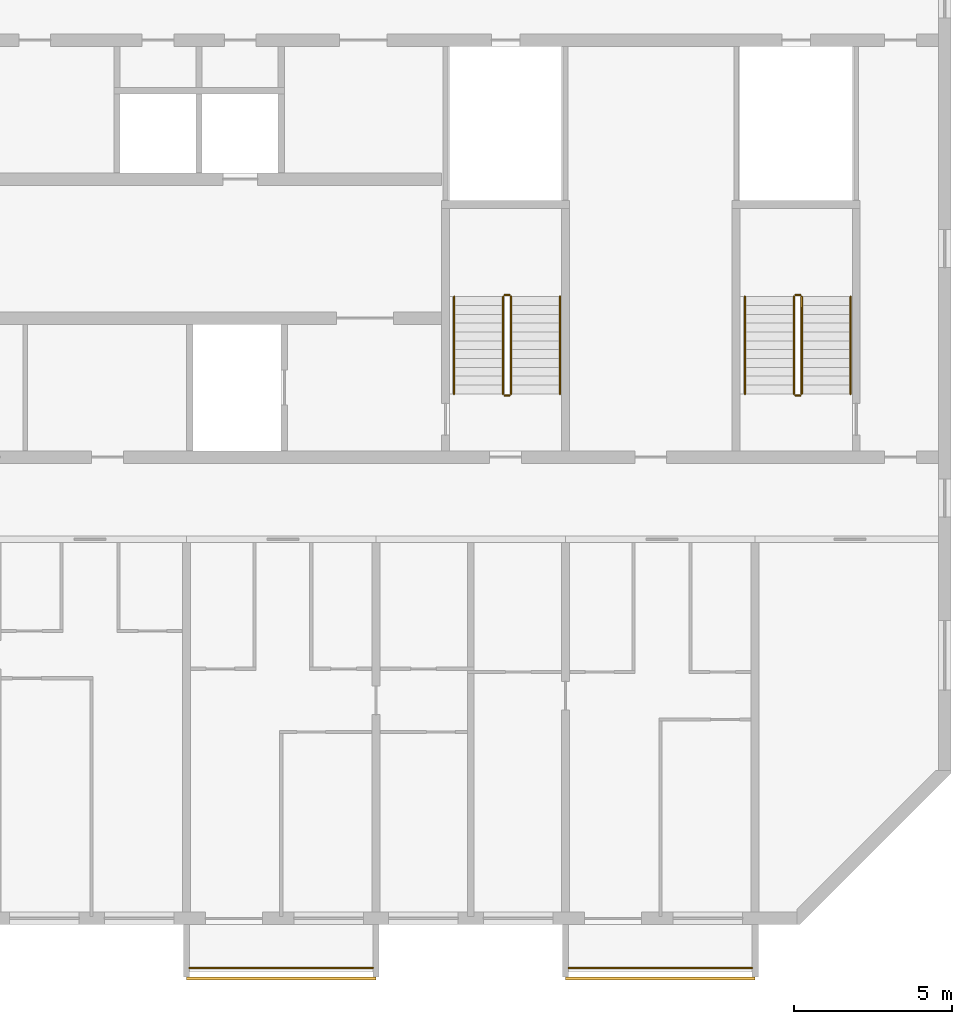
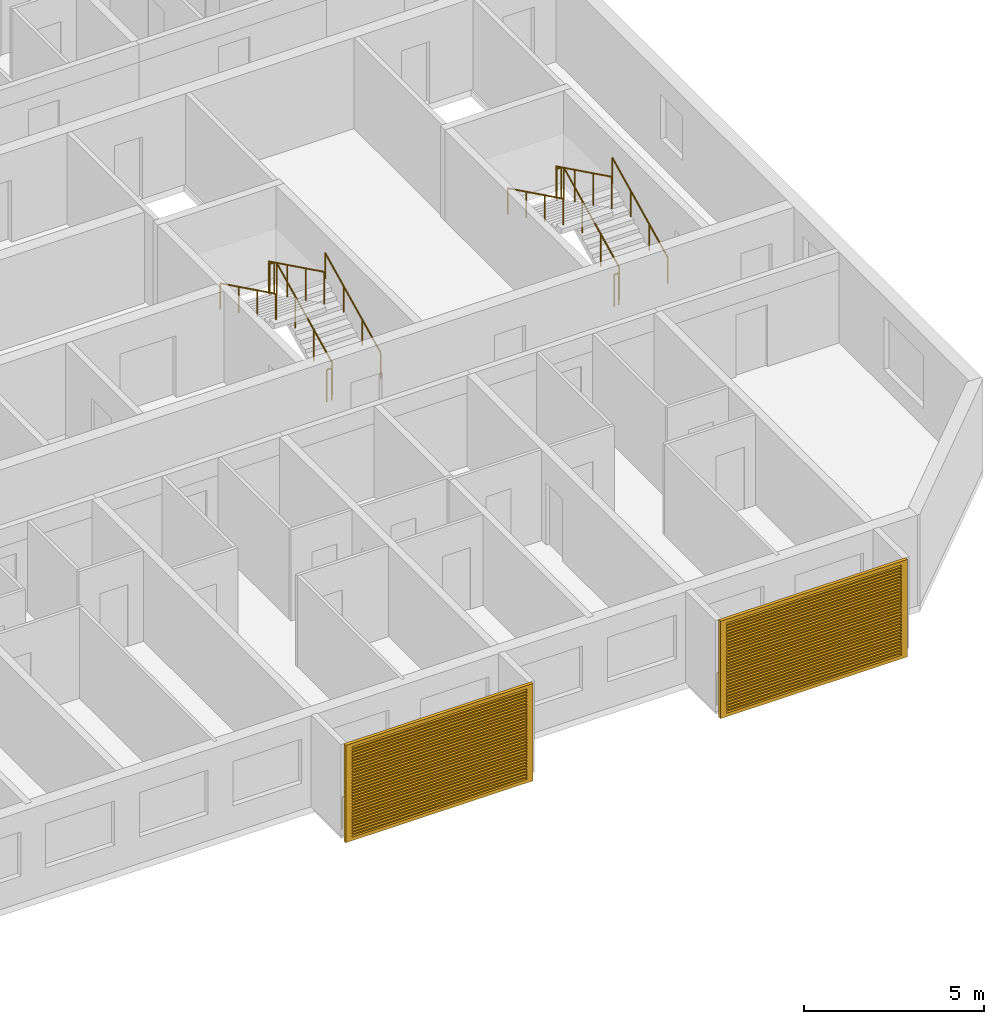
# One storey, part 14 of 28: 14 railings, 2 shading devices.
"""IFC4 building model written with IfcOpenShell, lengths in metres."""

from ifc_helpers import new_model, si_unit, direction, frame, origin, origin_2d, place, context, subcontext, project, spatial, polyline, circle, outline, extrude, source, transform, mapped, material, material_profile, profile_set, type_object, element, save


model = new_model("IFC4")

# Units and contexts
model_context = context("Model", 3, precision=1e-05, world=origin(), true_north=direction((0.0, 1.0)))
body_context = subcontext(model_context, "Body", "Model", "MODEL_VIEW")
ifc_project = project(units=[si_unit("LENGTHUNIT", "METRE"), si_unit("AREAUNIT", "SQUARE_METRE"), si_unit("VOLUMEUNIT", "CUBIC_METRE"), si_unit("PLANEANGLEUNIT", "RADIAN"), si_unit("MASSUNIT", "GRAM", prefix="KILO")], contexts=[model_context])

# Site, building, storey
site_placement = place(None, origin())
site = spatial("IfcSite", under=ifc_project, at=site_placement, CompositionType="ELEMENT")
building_placement = place(site_placement, origin())
building = spatial("IfcBuilding", under=site, at=building_placement, Name="Poui Terraces", CompositionType="ELEMENT")
storey_placement = place(building_placement, frame((0.0, 0.0, 181.800048828125)))
storey = spatial("IfcBuildingStorey", under=building, at=storey_placement, Name="L50", CompositionType="ELEMENT", Elevation=181.800048828125)

# Railings
ifc_material_1 = material(Name="Painted steel fretwork", Category="steel")
railing_type_1 = type_object("IfcRailingType", Name="BALCONY GUARD 1100", PredefinedType="GUARDRAIL", material=ifc_material_1)
for number, where, name in (
    (1, (60.10009765625, -1.570068359375, 0.0), "BALCONY GUARD"),
    (2, (72.10009765625, -1.570068359375, 0.0), "BALCONY GUARD"),
):
    element("IfcRailing", number, at=place(storey_placement, frame(where)), inside=storey, type_object=railing_type_1, Name=name, PredefinedType="GUARDRAIL", context=body_context, shape_type="SweptSolid", body=[
        extrude(circle(Radius=0.02392578125, at=origin_2d()), frame((0.0, 0.0, 1.076171875), z_axis=(1.0, 0.0, 0.0), x_axis=(0.0, 1.0, 0.0)), (0.0, 0.0, 1.0), 5.7998046875),
        extrude(circle(Radius=0.02099609375, at=origin_2d()), origin(), (0.0, 0.0, 1.0), 1.052001953125),
        extrude(circle(Radius=0.02099609375, at=origin_2d()), frame((0.966552734375, 0.0, 0.0)), (0.0, 0.0, 1.0), 1.052001953125),
        extrude(circle(Radius=0.02099609375, at=origin_2d()), frame((1.933349609375, 0.0, 0.0)), (0.0, 0.0, 1.0), 1.052001953125),
        extrude(circle(Radius=0.02099609375, at=origin_2d()), frame((2.89990234375, 0.0, 0.0)), (0.0, 0.0, 1.0), 1.052001953125),
        extrude(circle(Radius=0.02099609375, at=origin_2d()), frame((3.866455078125, 0.0, 0.0)), (0.0, 0.0, 1.0), 1.052001953125),
        extrude(circle(Radius=0.02099609375, at=origin_2d()), frame((4.833251953125, 0.0, 0.0)), (0.0, 0.0, 1.0), 1.052001953125),
        extrude(circle(Radius=0.02099609375, at=origin_2d()), frame((5.7998046875, 0.0, 0.0)), (0.0, 0.0, 1.0), 1.052001953125),
    ])
ifc_material_2 = material(Name="Galvanised steel balustrade", Category="steel")
railing_type_2 = type_object("IfcRailingType", Name="STAIR GUARD 1100", PredefinedType="GUARDRAIL", material=ifc_material_2)
railing_1_placement = place(storey_placement, frame((70.27490234375, 16.60009765625, 0.137451171875)))
element("IfcRailing", 3, at=railing_1_placement, inside=storey, type_object=railing_type_2, Name="L50 ST-CE stair guard 1", PredefinedType="GUARDRAIL", context=body_context, shape_type="SweptSolid", body=[
    extrude(circle(Radius=0.02392578125, at=origin_2d()), frame((0.0, 0.0, 1.076171875), z_axis=(0.0, 0.897606190399, 0.440798283751), x_axis=(-1.0, 0.0, 0.0)), (0.0, 0.0, 1.0), 3.43115234375),
    extrude(circle(Radius=0.02099609375, at=origin_2d()), origin(), (0.0, 0.0, 1.0), 1.052001953125),
    extrude(circle(Radius=0.02099609375, at=origin_2d()), frame((0.0, 1.026611328125, 0.504150390625)), (0.0, 0.0, 1.0), 1.052001953125),
    extrude(circle(Radius=0.02099609375, at=origin_2d()), frame((0.0, 2.05322265625, 1.00830078125)), (0.0, 0.0, 1.0), 1.052001953125),
    extrude(circle(Radius=0.02099609375, at=origin_2d()), frame((0.0, 3.079833984375, 1.512451171875)), (0.0, 0.0, 1.0), 1.052001953125),
])
railing_2_placement = place(storey_placement, frame((70.22509765625, 19.72998046875, 1.64990234375)))
element("IfcRailing", 4, at=railing_2_placement, inside=storey, type_object=railing_type_2, Name="L50 ST-CE stair guard 2", PredefinedType="GUARDRAIL", context=body_context, shape_type="SweptSolid", body=[
    extrude(circle(Radius=0.02392578125, at=origin_2d()), frame((0.0, 0.0, 1.076171875), z_axis=(-1.0, 0.0, 0.0), x_axis=(0.0, -1.0, 0.0)), (0.0, 0.0, 1.0), 0.150146484375),
    extrude(circle(Radius=0.02099609375, at=origin_2d()), origin(), (0.0, 0.0, 1.0), 1.052001953125),
    extrude(circle(Radius=0.02099609375, at=origin_2d()), frame((-0.150146484375, 0.0, 0.0)), (0.0, 0.0, 1.0), 1.052001953125),
])
railing_3_placement = place(storey_placement, frame((70.02490234375, 19.679931640625, 1.787353515625)))
element("IfcRailing", 5, at=railing_3_placement, inside=storey, type_object=railing_type_2, Name="L50 ST-CE stair guard 3", PredefinedType="GUARDRAIL", context=body_context, shape_type="SweptSolid", body=[
    extrude(circle(Radius=0.02392578125, at=origin_2d()), frame((0.0, 0.0, 1.076171875), z_axis=(0.0, -0.897578036475, 0.440855609512), x_axis=(1.0, 0.0, 0.0)), (0.0, 0.0, 1.0), 3.43115234375),
    extrude(circle(Radius=0.02099609375, at=origin_2d()), origin(), (0.0, 0.0, 1.0), 1.052001953125),
    extrude(circle(Radius=0.02099609375, at=origin_2d()), frame((0.0, -1.026611328125, 0.504150390625)), (0.0, 0.0, 1.0), 1.052001953125),
    extrude(circle(Radius=0.02099609375, at=origin_2d()), frame((0.0, -2.05322265625, 1.008544921875)), (0.0, 0.0, 1.0), 1.052001953125),
    extrude(circle(Radius=0.02099609375, at=origin_2d()), frame((0.0, -3.079833984375, 1.5126953125)), (0.0, 0.0, 1.0), 1.052001953125),
])
railing_4_placement = place(storey_placement, frame((70.22509765625, 16.550048828125, 0.0)))
element("IfcRailing", 6, at=railing_4_placement, inside=storey, type_object=railing_type_2, Name="L50 ST-CE stair guard 4", PredefinedType="GUARDRAIL", context=body_context, shape_type="SweptSolid", body=[
    extrude(circle(Radius=0.02392578125, at=origin_2d()), frame((0.0, 0.0, 1.076171875), z_axis=(-1.0, 0.0, 0.0), x_axis=(0.0, -1.0, 0.0)), (0.0, 0.0, 1.0), 0.150146484375),
    extrude(circle(Radius=0.02099609375, at=origin_2d()), origin(), (0.0, 0.0, 1.0), 1.052001953125),
    extrude(circle(Radius=0.02099609375, at=origin_2d()), frame((-0.150146484375, 0.0, 0.0)), (0.0, 0.0, 1.0), 1.052001953125),
])
railing_5_placement = place(storey_placement, frame((79.47509765625, 16.60009765625, 0.137451171875)))
element("IfcRailing", 7, at=railing_5_placement, inside=storey, type_object=railing_type_2, Name="L50 ST-E stair guard 1", PredefinedType="GUARDRAIL", context=body_context, shape_type="SweptSolid", body=[
    extrude(circle(Radius=0.02392578125, at=origin_2d()), frame((0.0, 0.0, 1.076171875), z_axis=(0.0, 0.897606190399, 0.440798283751), x_axis=(-1.0, 0.0, 0.0)), (0.0, 0.0, 1.0), 3.43115234375),
    extrude(circle(Radius=0.02099609375, at=origin_2d()), origin(), (0.0, 0.0, 1.0), 1.052001953125),
    extrude(circle(Radius=0.02099609375, at=origin_2d()), frame((0.0, 1.026611328125, 0.504150390625)), (0.0, 0.0, 1.0), 1.052001953125),
    extrude(circle(Radius=0.02099609375, at=origin_2d()), frame((0.0, 2.05322265625, 1.00830078125)), (0.0, 0.0, 1.0), 1.052001953125),
    extrude(circle(Radius=0.02099609375, at=origin_2d()), frame((0.0, 3.079833984375, 1.512451171875)), (0.0, 0.0, 1.0), 1.052001953125),
])
railing_6_placement = place(storey_placement, frame((79.425048828125, 19.72998046875, 1.64990234375)))
element("IfcRailing", 8, at=railing_6_placement, inside=storey, type_object=railing_type_2, Name="L50 ST-E stair guard 2", PredefinedType="GUARDRAIL", context=body_context, shape_type="SweptSolid", body=[
    extrude(circle(Radius=0.02392578125, at=origin_2d()), frame((0.0, 0.0, 1.076171875), z_axis=(-1.0, 0.0, 0.0), x_axis=(0.0, -1.0, 0.0)), (0.0, 0.0, 1.0), 0.150146484375),
    extrude(circle(Radius=0.02099609375, at=origin_2d()), origin(), (0.0, 0.0, 1.0), 1.052001953125),
    extrude(circle(Radius=0.02099609375, at=origin_2d()), frame((-0.150146484375, 0.0, 0.0)), (0.0, 0.0, 1.0), 1.052001953125),
])
railing_7_placement = place(storey_placement, frame((79.22509765625, 19.679931640625, 1.787353515625)))
element("IfcRailing", 9, at=railing_7_placement, inside=storey, type_object=railing_type_2, Name="L50 ST-E stair guard 3", PredefinedType="GUARDRAIL", context=body_context, shape_type="SweptSolid", body=[
    extrude(circle(Radius=0.02392578125, at=origin_2d()), frame((0.0, 0.0, 1.076171875), z_axis=(0.0, -0.897578036475, 0.440855609512), x_axis=(1.0, 0.0, 0.0)), (0.0, 0.0, 1.0), 3.43115234375),
    extrude(circle(Radius=0.02099609375, at=origin_2d()), origin(), (0.0, 0.0, 1.0), 1.052001953125),
    extrude(circle(Radius=0.02099609375, at=origin_2d()), frame((0.0, -1.026611328125, 0.504150390625)), (0.0, 0.0, 1.0), 1.052001953125),
    extrude(circle(Radius=0.02099609375, at=origin_2d()), frame((0.0, -2.05322265625, 1.008544921875)), (0.0, 0.0, 1.0), 1.052001953125),
    extrude(circle(Radius=0.02099609375, at=origin_2d()), frame((0.0, -3.079833984375, 1.5126953125)), (0.0, 0.0, 1.0), 1.052001953125),
])
railing_8_placement = place(storey_placement, frame((79.425048828125, 16.550048828125, 0.0)))
element("IfcRailing", 10, at=railing_8_placement, inside=storey, type_object=railing_type_2, Name="L50 ST-E stair guard 4", PredefinedType="GUARDRAIL", context=body_context, shape_type="SweptSolid", body=[
    extrude(circle(Radius=0.02392578125, at=origin_2d()), frame((0.0, 0.0, 1.076171875), z_axis=(-1.0, 0.0, 0.0), x_axis=(0.0, -1.0, 0.0)), (0.0, 0.0, 1.0), 0.150146484375),
    extrude(circle(Radius=0.02099609375, at=origin_2d()), origin(), (0.0, 0.0, 1.0), 1.052001953125),
    extrude(circle(Radius=0.02099609375, at=origin_2d()), frame((-0.150146484375, 0.0, 0.0)), (0.0, 0.0, 1.0), 1.052001953125),
])
ifc_material_3 = material(Name="Stainless steel handrail", Category="steel")
railing_type_3 = type_object("IfcRailingType", Name="STAIR HANDRAIL 900", PredefinedType="HANDRAIL", material=ifc_material_3)
railing_9_placement = place(storey_placement, frame((71.824951171875, 16.60009765625, 0.137451171875)))
element("IfcRailing", 11, at=railing_9_placement, inside=storey, type_object=railing_type_3, Name="L50 ST-CE stair handrail 1", PredefinedType="HANDRAIL", context=body_context, shape_type="SweptSolid", body=[
    extrude(circle(Radius=0.02392578125, at=origin_2d()), frame((0.0, 0.0, 0.8759765625), z_axis=(0.0, 0.897606190399, 0.440798283751), x_axis=(-1.0, 0.0, 0.0)), (0.0, 0.0, 1.0), 3.43115234375),
    extrude(circle(Radius=0.02099609375, at=origin_2d()), origin(), (0.0, 0.0, 1.0), 0.851806640625),
    extrude(circle(Radius=0.02099609375, at=origin_2d()), frame((0.0, 1.026611328125, 0.504150390625)), (0.0, 0.0, 1.0), 0.851806640625),
    extrude(circle(Radius=0.02099609375, at=origin_2d()), frame((0.0, 2.05322265625, 1.00830078125)), (0.0, 0.0, 1.0), 0.851806640625),
    extrude(circle(Radius=0.02099609375, at=origin_2d()), frame((0.0, 3.079833984375, 1.512451171875)), (0.0, 0.0, 1.0), 0.851806640625),
])
railing_10_placement = place(storey_placement, frame((68.47509765625, 19.679931640625, 1.787353515625)))
element("IfcRailing", 12, at=railing_10_placement, inside=storey, type_object=railing_type_3, Name="L50 ST-CE stair handrail 2", PredefinedType="HANDRAIL", context=body_context, shape_type="SweptSolid", body=[
    extrude(circle(Radius=0.02392578125, at=origin_2d()), frame((0.0, 0.0, 0.8759765625), z_axis=(0.0, -0.897578036475, 0.440855609512), x_axis=(1.0, 0.0, 0.0)), (0.0, 0.0, 1.0), 3.43115234375),
    extrude(circle(Radius=0.02099609375, at=origin_2d()), origin(), (0.0, 0.0, 1.0), 0.851806640625),
    extrude(circle(Radius=0.02099609375, at=origin_2d()), frame((0.0, -1.026611328125, 0.504150390625)), (0.0, 0.0, 1.0), 0.851806640625),
    extrude(circle(Radius=0.02099609375, at=origin_2d()), frame((0.0, -2.05322265625, 1.008544921875)), (0.0, 0.0, 1.0), 0.851806640625),
    extrude(circle(Radius=0.02099609375, at=origin_2d()), frame((0.0, -3.079833984375, 1.5126953125)), (0.0, 0.0, 1.0), 0.851806640625),
])
railing_11_placement = place(storey_placement, frame((81.02490234375, 16.60009765625, 0.137451171875)))
element("IfcRailing", 13, at=railing_11_placement, inside=storey, type_object=railing_type_3, Name="L50 ST-E stair handrail 1", PredefinedType="HANDRAIL", context=body_context, shape_type="SweptSolid", body=[
    extrude(circle(Radius=0.02392578125, at=origin_2d()), frame((0.0, 0.0, 0.8759765625), z_axis=(0.0, 0.897606190399, 0.440798283751), x_axis=(-1.0, 0.0, 0.0)), (0.0, 0.0, 1.0), 3.43115234375),
    extrude(circle(Radius=0.02099609375, at=origin_2d()), origin(), (0.0, 0.0, 1.0), 0.851806640625),
    extrude(circle(Radius=0.02099609375, at=origin_2d()), frame((0.0, 1.026611328125, 0.504150390625)), (0.0, 0.0, 1.0), 0.851806640625),
    extrude(circle(Radius=0.02099609375, at=origin_2d()), frame((0.0, 2.05322265625, 1.00830078125)), (0.0, 0.0, 1.0), 0.851806640625),
    extrude(circle(Radius=0.02099609375, at=origin_2d()), frame((0.0, 3.079833984375, 1.512451171875)), (0.0, 0.0, 1.0), 0.851806640625),
])
railing_12_placement = place(storey_placement, frame((77.675048828125, 19.679931640625, 1.787353515625)))
element("IfcRailing", 14, at=railing_12_placement, inside=storey, type_object=railing_type_3, Name="L50 ST-E stair handrail 2", PredefinedType="HANDRAIL", context=body_context, shape_type="SweptSolid", body=[
    extrude(circle(Radius=0.02392578125, at=origin_2d()), frame((0.0, 0.0, 0.8759765625), z_axis=(0.0, -0.897578036475, 0.440855609512), x_axis=(1.0, 0.0, 0.0)), (0.0, 0.0, 1.0), 3.43115234375),
    extrude(circle(Radius=0.02099609375, at=origin_2d()), origin(), (0.0, 0.0, 1.0), 0.851806640625),
    extrude(circle(Radius=0.02099609375, at=origin_2d()), frame((0.0, -1.026611328125, 0.504150390625)), (0.0, 0.0, 1.0), 0.851806640625),
    extrude(circle(Radius=0.02099609375, at=origin_2d()), frame((0.0, -2.05322265625, 1.008544921875)), (0.0, 0.0, 1.0), 0.851806640625),
    extrude(circle(Radius=0.02099609375, at=origin_2d()), frame((0.0, -3.079833984375, 1.5126953125)), (0.0, 0.0, 1.0), 0.851806640625),
])

# Shading devices
ifc_material_4 = material(Name="Aluminium louvre", Category="aluminium")
ifc_material_profile = material_profile(ifc_material_4, outline(polyline([(-3.0, -1.64990234375), (3.0, -1.64990234375), (3.0, 1.64990234375), (-3.0, 1.64990234375), (-3.0, -1.64990234375)]), holes=[polyline([(-2.800048828125, -1.530029296875), (2.800048828125, -1.530029296875), (2.800048828125, -1.469970703125), (-2.800048828125, -1.469970703125), (-2.800048828125, -1.530029296875)]), polyline([(-2.800048828125, -1.429931640625), (2.800048828125, -1.429931640625), (2.800048828125, -1.3701171875), (-2.800048828125, -1.3701171875), (-2.800048828125, -1.429931640625)]), polyline([(-2.800048828125, -1.330078125), (2.800048828125, -1.330078125), (2.800048828125, -1.27001953125), (-2.800048828125, -1.27001953125), (-2.800048828125, -1.330078125)]), polyline([(-2.800048828125, -1.22998046875), (2.800048828125, -1.22998046875), (2.800048828125, -1.169921875), (-2.800048828125, -1.169921875), (-2.800048828125, -1.22998046875)]), polyline([(-2.800048828125, -1.1298828125), (2.800048828125, -1.1298828125), (2.800048828125, -1.070068359375), (-2.800048828125, -1.070068359375), (-2.800048828125, -1.1298828125)]), polyline([(-2.800048828125, -1.030029296875), (2.800048828125, -1.030029296875), (2.800048828125, -0.969970703125), (-2.800048828125, -0.969970703125), (-2.800048828125, -1.030029296875)]), polyline([(-2.800048828125, -0.929931640625), (2.800048828125, -0.929931640625), (2.800048828125, -0.8701171875), (-2.800048828125, -0.8701171875), (-2.800048828125, -0.929931640625)]), polyline([(-2.800048828125, -0.830078125), (2.800048828125, -0.830078125), (2.800048828125, -0.77001953125), (-2.800048828125, -0.77001953125), (-2.800048828125, -0.830078125)]), polyline([(-2.800048828125, -0.72998046875), (2.800048828125, -0.72998046875), (2.800048828125, -0.669921875), (-2.800048828125, -0.669921875), (-2.800048828125, -0.72998046875)]), polyline([(-2.800048828125, -0.6298828125), (2.800048828125, -0.6298828125), (2.800048828125, -0.570068359375), (-2.800048828125, -0.570068359375), (-2.800048828125, -0.6298828125)]), polyline([(-2.800048828125, -0.530029296875), (2.800048828125, -0.530029296875), (2.800048828125, -0.469970703125), (-2.800048828125, -0.469970703125), (-2.800048828125, -0.530029296875)]), polyline([(-2.800048828125, -0.429931640625), (2.800048828125, -0.429931640625), (2.800048828125, -0.3701171875), (-2.800048828125, -0.3701171875), (-2.800048828125, -0.429931640625)]), polyline([(-2.800048828125, -0.330078125), (2.800048828125, -0.330078125), (2.800048828125, -0.27001953125), (-2.800048828125, -0.27001953125), (-2.800048828125, -0.330078125)]), polyline([(-2.800048828125, -0.22998046875), (2.800048828125, -0.22998046875), (2.800048828125, -0.169921875), (-2.800048828125, -0.169921875), (-2.800048828125, -0.22998046875)]), polyline([(-2.800048828125, -0.1298828125), (2.800048828125, -0.1298828125), (2.800048828125, -0.070068359375), (-2.800048828125, -0.070068359375), (-2.800048828125, -0.1298828125)]), polyline([(-2.800048828125, -0.030029296875), (2.800048828125, -0.030029296875), (2.800048828125, 0.030029296875), (-2.800048828125, 0.030029296875), (-2.800048828125, -0.030029296875)]), polyline([(-2.800048828125, 0.070068359375), (2.800048828125, 0.070068359375), (2.800048828125, 0.1298828125), (-2.800048828125, 0.1298828125), (-2.800048828125, 0.070068359375)]), polyline([(-2.800048828125, 0.169921875), (2.800048828125, 0.169921875), (2.800048828125, 0.22998046875), (-2.800048828125, 0.22998046875), (-2.800048828125, 0.169921875)]), polyline([(-2.800048828125, 0.27001953125), (2.800048828125, 0.27001953125), (2.800048828125, 0.330078125), (-2.800048828125, 0.330078125), (-2.800048828125, 0.27001953125)]), polyline([(-2.800048828125, 0.3701171875), (2.800048828125, 0.3701171875), (2.800048828125, 0.429931640625), (-2.800048828125, 0.429931640625), (-2.800048828125, 0.3701171875)]), polyline([(-2.800048828125, 0.469970703125), (2.800048828125, 0.469970703125), (2.800048828125, 0.530029296875), (-2.800048828125, 0.530029296875), (-2.800048828125, 0.469970703125)]), polyline([(-2.800048828125, 0.570068359375), (2.800048828125, 0.570068359375), (2.800048828125, 0.6298828125), (-2.800048828125, 0.6298828125), (-2.800048828125, 0.570068359375)]), polyline([(-2.800048828125, 0.669921875), (2.800048828125, 0.669921875), (2.800048828125, 0.72998046875), (-2.800048828125, 0.72998046875), (-2.800048828125, 0.669921875)]), polyline([(-2.800048828125, 0.77001953125), (2.800048828125, 0.77001953125), (2.800048828125, 0.830078125), (-2.800048828125, 0.830078125), (-2.800048828125, 0.77001953125)]), polyline([(-2.800048828125, 0.8701171875), (2.800048828125, 0.8701171875), (2.800048828125, 0.929931640625), (-2.800048828125, 0.929931640625), (-2.800048828125, 0.8701171875)]), polyline([(-2.800048828125, 0.969970703125), (2.800048828125, 0.969970703125), (2.800048828125, 1.030029296875), (-2.800048828125, 1.030029296875), (-2.800048828125, 0.969970703125)]), polyline([(-2.800048828125, 1.070068359375), (2.800048828125, 1.070068359375), (2.800048828125, 1.1298828125), (-2.800048828125, 1.1298828125), (-2.800048828125, 1.070068359375)]), polyline([(-2.800048828125, 1.169921875), (2.800048828125, 1.169921875), (2.800048828125, 1.22998046875), (-2.800048828125, 1.22998046875), (-2.800048828125, 1.169921875)]), polyline([(-2.800048828125, 1.27001953125), (2.800048828125, 1.27001953125), (2.800048828125, 1.330078125), (-2.800048828125, 1.330078125), (-2.800048828125, 1.27001953125)]), polyline([(-2.800048828125, 1.3701171875), (2.800048828125, 1.3701171875), (2.800048828125, 1.429931640625), (-2.800048828125, 1.429931640625), (-2.800048828125, 1.3701171875)]), polyline([(-2.800048828125, 1.469970703125), (2.800048828125, 1.469970703125), (2.800048828125, 1.530029296875), (-2.800048828125, 1.530029296875), (-2.800048828125, 1.469970703125)])]), Name="JALOUSIE LOUVRE SHUTTER 6000X3300")
ifc_profile_set = profile_set([ifc_material_profile], Name="Aluminium louvre")
shading_device_type = type_object("IfcShadingDeviceType", Name="JALOUSIE LOUVRE SHUTTER 6000X3300", PredefinedType="JALOUSIE", material=ifc_profile_set)
shared_shape = source(origin(), body_context, "Body", "SweptSolid", [
    extrude(outline(polyline([(-3.0, -1.64990234375), (3.0, -1.64990234375), (3.0, 1.64990234375), (-3.0, 1.64990234375), (-3.0, -1.64990234375)]), holes=[polyline([(-2.800048828125, -1.530029296875), (2.800048828125, -1.530029296875), (2.800048828125, -1.469970703125), (-2.800048828125, -1.469970703125), (-2.800048828125, -1.530029296875)]), polyline([(-2.800048828125, -1.429931640625), (2.800048828125, -1.429931640625), (2.800048828125, -1.3701171875), (-2.800048828125, -1.3701171875), (-2.800048828125, -1.429931640625)]), polyline([(-2.800048828125, -1.330078125), (2.800048828125, -1.330078125), (2.800048828125, -1.27001953125), (-2.800048828125, -1.27001953125), (-2.800048828125, -1.330078125)]), polyline([(-2.800048828125, -1.22998046875), (2.800048828125, -1.22998046875), (2.800048828125, -1.169921875), (-2.800048828125, -1.169921875), (-2.800048828125, -1.22998046875)]), polyline([(-2.800048828125, -1.1298828125), (2.800048828125, -1.1298828125), (2.800048828125, -1.070068359375), (-2.800048828125, -1.070068359375), (-2.800048828125, -1.1298828125)]), polyline([(-2.800048828125, -1.030029296875), (2.800048828125, -1.030029296875), (2.800048828125, -0.969970703125), (-2.800048828125, -0.969970703125), (-2.800048828125, -1.030029296875)]), polyline([(-2.800048828125, -0.929931640625), (2.800048828125, -0.929931640625), (2.800048828125, -0.8701171875), (-2.800048828125, -0.8701171875), (-2.800048828125, -0.929931640625)]), polyline([(-2.800048828125, -0.830078125), (2.800048828125, -0.830078125), (2.800048828125, -0.77001953125), (-2.800048828125, -0.77001953125), (-2.800048828125, -0.830078125)]), polyline([(-2.800048828125, -0.72998046875), (2.800048828125, -0.72998046875), (2.800048828125, -0.669921875), (-2.800048828125, -0.669921875), (-2.800048828125, -0.72998046875)]), polyline([(-2.800048828125, -0.6298828125), (2.800048828125, -0.6298828125), (2.800048828125, -0.570068359375), (-2.800048828125, -0.570068359375), (-2.800048828125, -0.6298828125)]), polyline([(-2.800048828125, -0.530029296875), (2.800048828125, -0.530029296875), (2.800048828125, -0.469970703125), (-2.800048828125, -0.469970703125), (-2.800048828125, -0.530029296875)]), polyline([(-2.800048828125, -0.429931640625), (2.800048828125, -0.429931640625), (2.800048828125, -0.3701171875), (-2.800048828125, -0.3701171875), (-2.800048828125, -0.429931640625)]), polyline([(-2.800048828125, -0.330078125), (2.800048828125, -0.330078125), (2.800048828125, -0.27001953125), (-2.800048828125, -0.27001953125), (-2.800048828125, -0.330078125)]), polyline([(-2.800048828125, -0.22998046875), (2.800048828125, -0.22998046875), (2.800048828125, -0.169921875), (-2.800048828125, -0.169921875), (-2.800048828125, -0.22998046875)]), polyline([(-2.800048828125, -0.1298828125), (2.800048828125, -0.1298828125), (2.800048828125, -0.070068359375), (-2.800048828125, -0.070068359375), (-2.800048828125, -0.1298828125)]), polyline([(-2.800048828125, -0.030029296875), (2.800048828125, -0.030029296875), (2.800048828125, 0.030029296875), (-2.800048828125, 0.030029296875), (-2.800048828125, -0.030029296875)]), polyline([(-2.800048828125, 0.070068359375), (2.800048828125, 0.070068359375), (2.800048828125, 0.1298828125), (-2.800048828125, 0.1298828125), (-2.800048828125, 0.070068359375)]), polyline([(-2.800048828125, 0.169921875), (2.800048828125, 0.169921875), (2.800048828125, 0.22998046875), (-2.800048828125, 0.22998046875), (-2.800048828125, 0.169921875)]), polyline([(-2.800048828125, 0.27001953125), (2.800048828125, 0.27001953125), (2.800048828125, 0.330078125), (-2.800048828125, 0.330078125), (-2.800048828125, 0.27001953125)]), polyline([(-2.800048828125, 0.3701171875), (2.800048828125, 0.3701171875), (2.800048828125, 0.429931640625), (-2.800048828125, 0.429931640625), (-2.800048828125, 0.3701171875)]), polyline([(-2.800048828125, 0.469970703125), (2.800048828125, 0.469970703125), (2.800048828125, 0.530029296875), (-2.800048828125, 0.530029296875), (-2.800048828125, 0.469970703125)]), polyline([(-2.800048828125, 0.570068359375), (2.800048828125, 0.570068359375), (2.800048828125, 0.6298828125), (-2.800048828125, 0.6298828125), (-2.800048828125, 0.570068359375)]), polyline([(-2.800048828125, 0.669921875), (2.800048828125, 0.669921875), (2.800048828125, 0.72998046875), (-2.800048828125, 0.72998046875), (-2.800048828125, 0.669921875)]), polyline([(-2.800048828125, 0.77001953125), (2.800048828125, 0.77001953125), (2.800048828125, 0.830078125), (-2.800048828125, 0.830078125), (-2.800048828125, 0.77001953125)]), polyline([(-2.800048828125, 0.8701171875), (2.800048828125, 0.8701171875), (2.800048828125, 0.929931640625), (-2.800048828125, 0.929931640625), (-2.800048828125, 0.8701171875)]), polyline([(-2.800048828125, 0.969970703125), (2.800048828125, 0.969970703125), (2.800048828125, 1.030029296875), (-2.800048828125, 1.030029296875), (-2.800048828125, 0.969970703125)]), polyline([(-2.800048828125, 1.070068359375), (2.800048828125, 1.070068359375), (2.800048828125, 1.1298828125), (-2.800048828125, 1.1298828125), (-2.800048828125, 1.070068359375)]), polyline([(-2.800048828125, 1.169921875), (2.800048828125, 1.169921875), (2.800048828125, 1.22998046875), (-2.800048828125, 1.22998046875), (-2.800048828125, 1.169921875)]), polyline([(-2.800048828125, 1.27001953125), (2.800048828125, 1.27001953125), (2.800048828125, 1.330078125), (-2.800048828125, 1.330078125), (-2.800048828125, 1.27001953125)]), polyline([(-2.800048828125, 1.3701171875), (2.800048828125, 1.3701171875), (2.800048828125, 1.429931640625), (-2.800048828125, 1.429931640625), (-2.800048828125, 1.3701171875)]), polyline([(-2.800048828125, 1.469970703125), (2.800048828125, 1.469970703125), (2.800048828125, 1.530029296875), (-2.800048828125, 1.530029296875), (-2.800048828125, 1.469970703125)])]), origin(), (0.0, 0.0, 1.0), 0.099853515625),
])
for number, where, z_axis, x_axis, name in (
    (15, (63.0, -1.85009765625, 1.449951171875), (0.0, -1.0, 0.0), (1.0, 0.0, 0.0), "JALOUSIE LOUVRE SHUTTER"),
    (16, (75.0, -1.85009765625, 1.449951171875), (0.0, -1.0, 0.0), (1.0, 0.0, 0.0), "JALOUSIE LOUVRE SHUTTER"),
):
    element("IfcShadingDevice", number, at=place(storey_placement, frame(where, z_axis=z_axis, x_axis=x_axis)), inside=storey, type_object=shading_device_type, Name=name, PredefinedType="JALOUSIE", context=body_context, shape_type="MappedRepresentation", body=[
        mapped(shared_shape, transform((0.0, 0.0, 0.0))),
    ])

save(model, "model.ifc")
